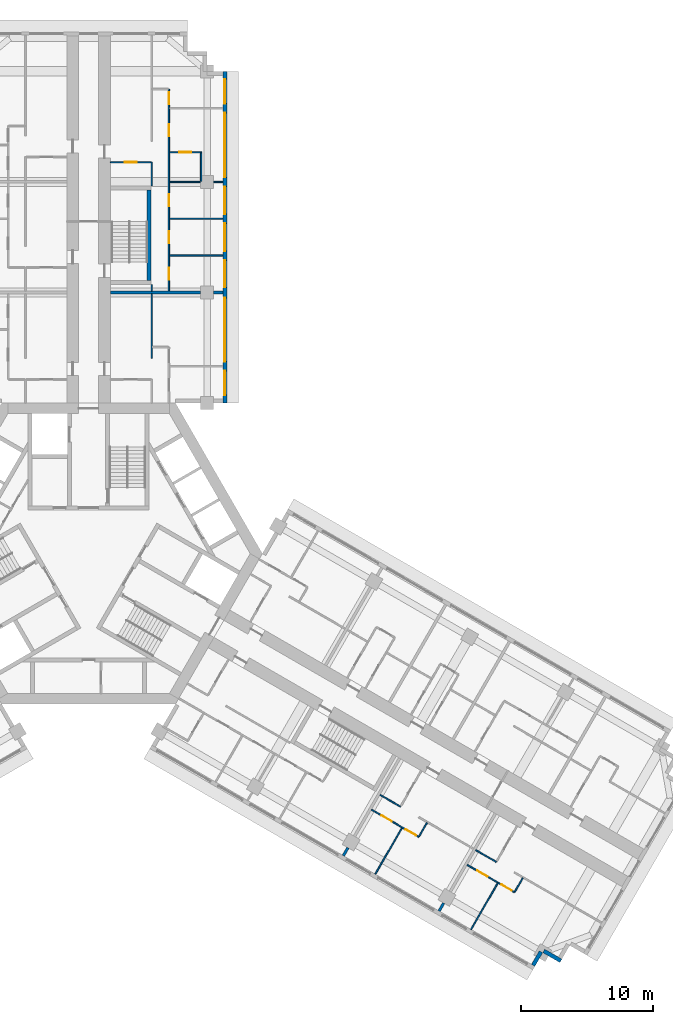
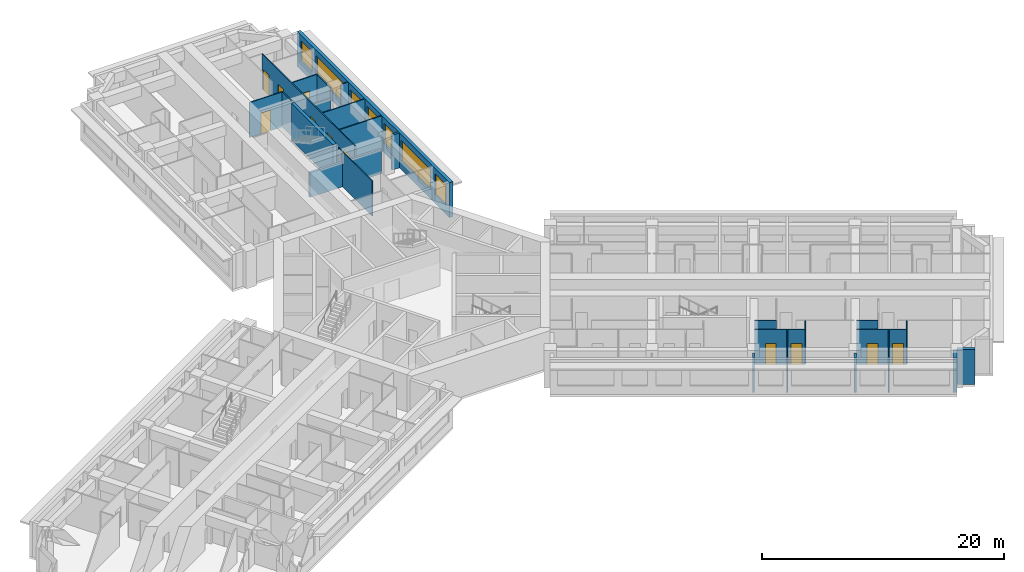
# One storey, part 10 of 14: 27 walls, 11 doors, 7 windows, 18 openings.
"""IFC4 building model written with IfcOpenShell, lengths in metres."""

from ifc_helpers import new_model, si_unit, direction, frame, frame_2d, origin, place, context, subcontext, project, spatial, rectangle, extrude, material, layer, layer_set, type_object, element, fill, save


model = new_model("IFC4")

# Units and contexts
model_context = context("Model", 3, precision=1e-05, world=origin(), true_north=direction((0.0, 1.0)))
body_context = subcontext(model_context, "Body", "Model", "MODEL_VIEW")
ifc_project = project(units=[si_unit("LENGTHUNIT", "METRE"), si_unit("AREAUNIT", "SQUARE_METRE"), si_unit("VOLUMEUNIT", "CUBIC_METRE"), si_unit("PLANEANGLEUNIT", "RADIAN"), si_unit("MASSUNIT", "GRAM", prefix="KILO")], contexts=[model_context])

# Site, building, storey
site_placement = place(None, origin())
site = spatial("IfcSite", under=ifc_project, at=site_placement, CompositionType="ELEMENT")
building_placement = place(site_placement, origin())
building = spatial("IfcBuilding", under=site, at=building_placement, Name="Impinga Residences", CompositionType="ELEMENT")
storey_placement = place(building_placement, frame((0.0, 0.0, 121.0)))
storey = spatial("IfcBuildingStorey", under=building, at=storey_placement, Name="L29", CompositionType="ELEMENT", Elevation=121.0)

# Wall, openings, windows
ifc_material_1 = material(Name="Terracotta rainscreen on blockwork", Category="masonry")
ifc_layer_1 = layer(ifc_material_1, 0.300048828125)
ifc_layer_set_1 = layer_set([ifc_layer_1], Name="EW1 external wall, terracotta rainscreen on blockwork 300")
wall_type_1 = type_object("IfcWallType", Name="EW1 external wall, terracotta rainscreen on blockwork 300", PredefinedType="SOLIDWALL", material=ifc_layer_set_1)
wall_1_placement = place(storey_placement, frame((10.35009765625, 36.631591796875, 0.0), z_axis=(0.0, 0.0, 1.0), x_axis=(0.0, -1.0, 0.0)))
wall_1 = element("IfcWall", 1, at=wall_1_placement, inside=storey, type_object=wall_type_1, Name="External wall EW1 L29", PredefinedType="SOLIDWALL", context=body_context, shape_type="SweptSolid", body=[
    extrude(rectangle(XDim=25.199951171875, YDim=0.300048828125, at=frame_2d((12.60009765625, 0.0))), origin(), (0.0, 0.0, 1.0), 3.530029296875),
])
opening_1_placement = place(wall_1_placement, frame((0.60009765625, 0.0, 0.89990234375)))
opening_1 = element("IfcOpeningElement", 2, at=opening_1_placement, cuts=wall_1, Name="Opening W15", PredefinedType="OPENING", context=body_context, shape_type="SweptSolid", body=[
    extrude(rectangle(XDim=1.85009765625, YDim=2.050048828125, at=frame_2d((0.925048828125, 1.02490234375))), frame((0.0, 0.159912109375, 0.0), z_axis=(0.0, -1.0, 0.0), x_axis=(1.0, 0.0, 0.0)), (0.0, 0.0, 1.0), 0.320068359375),
])
opening_2_placement = place(wall_1_placement, frame((3.14990234375, 0.0, 0.89990234375)))
opening_2 = element("IfcOpeningElement", 3, at=opening_2_placement, cuts=wall_1, Name="Opening W16", PredefinedType="OPENING", context=body_context, shape_type="SweptSolid", body=[
    extrude(rectangle(XDim=4.89990234375, YDim=2.050048828125, at=frame_2d((2.449951171875, 1.02490234375))), frame((0.0, 0.159912109375, 0.0), z_axis=(0.0, -1.0, 0.0), x_axis=(1.0, 0.0, 0.0)), (0.0, 0.0, 1.0), 0.320068359375),
])
opening_3_placement = place(wall_1_placement, frame((8.75, 0.0, 0.89990234375)))
opening_3 = element("IfcOpeningElement", 4, at=opening_3_placement, cuts=wall_1, Name="Opening W9", PredefinedType="OPENING", context=body_context, shape_type="SweptSolid", body=[
    extrude(rectangle(XDim=2.10009765625, YDim=2.050048828125, at=frame_2d((1.050048828125, 1.02490234375))), frame((0.0, 0.159912109375, 0.0), z_axis=(0.0, -1.0, 0.0), x_axis=(1.0, 0.0, 0.0)), (0.0, 0.0, 1.0), 0.320068359375),
])
opening_4_placement = place(wall_1_placement, frame((11.550048828125, 0.0, 0.89990234375)))
opening_4 = element("IfcOpeningElement", 5, at=opening_4_placement, cuts=wall_1, Name="Opening W9", PredefinedType="OPENING", context=body_context, shape_type="SweptSolid", body=[
    extrude(rectangle(XDim=2.10009765625, YDim=2.050048828125, at=frame_2d((1.050048828125, 1.02490234375))), frame((0.0, 0.159912109375, 0.0), z_axis=(0.0, -1.0, 0.0), x_axis=(1.0, 0.0, 0.0)), (0.0, 0.0, 1.0), 0.320068359375),
])
opening_5_placement = place(wall_1_placement, frame((14.35009765625, 0.0, 0.89990234375)))
opening_5 = element("IfcOpeningElement", 6, at=opening_5_placement, cuts=wall_1, Name="Opening W14", PredefinedType="OPENING", context=body_context, shape_type="SweptSolid", body=[
    extrude(rectangle(XDim=2.050048828125, YDim=2.050048828125, at=frame_2d((1.02490234375, 1.02490234375))), frame((0.0, 0.159912109375, 0.0), z_axis=(0.0, -1.0, 0.0), x_axis=(1.0, 0.0, 0.0)), (0.0, 0.0, 1.0), 0.320068359375),
])
opening_6_placement = place(wall_1_placement, frame((17.199951171875, 0.0, 0.89990234375)))
opening_6 = element("IfcOpeningElement", 7, at=opening_6_placement, cuts=wall_1, Name="Opening W6", PredefinedType="OPENING", context=body_context, shape_type="SweptSolid", body=[
    extrude(rectangle(XDim=4.85009765625, YDim=2.050048828125, at=frame_2d((2.425048828125, 1.02490234375))), frame((0.0, 0.159912109375, 0.0), z_axis=(0.0, -1.0, 0.0), x_axis=(1.0, 0.0, 0.0)), (0.0, 0.0, 1.0), 0.320068359375),
])
opening_7_placement = place(wall_1_placement, frame((22.75, 0.0, 0.89990234375)))
opening_7 = element("IfcOpeningElement", 8, at=opening_7_placement, cuts=wall_1, Name="Opening W15", PredefinedType="OPENING", context=body_context, shape_type="SweptSolid", body=[
    extrude(rectangle(XDim=1.85009765625, YDim=2.050048828125, at=frame_2d((0.925048828125, 1.02490234375))), frame((0.0, 0.159912109375, 0.0), z_axis=(0.0, -1.0, 0.0), x_axis=(1.0, 0.0, 0.0)), (0.0, 0.0, 1.0), 0.320068359375),
])
ifc_material_2 = material(Name="Aluminium window, clear double glazing", Category="aluminium")
window_type_1 = type_object("IfcWindowType", Name="W14 ribbon window 2050x2050", PartitioningType="SINGLE_PANEL", PredefinedType="WINDOW", material=ifc_material_2)
window_1_placement = place(opening_5_placement, origin())
window_1 = element("IfcWindow", 9, at=window_1_placement, inside=storey, type_object=window_type_1, Name="Window L29", OverallHeight=2.050048828125, OverallWidth=2.050048828125, PartitioningType="SINGLE_PANEL", PredefinedType="WINDOW", context=body_context, shape_type="SweptSolid", body=[
    extrude(rectangle(XDim=2.050048828125, YDim=2.050048828125, at=frame_2d((1.02490234375, 1.02490234375))), frame((0.0, 0.030029296875, 0.0), z_axis=(0.0, -1.0, 0.0), x_axis=(1.0, 0.0, 0.0)), (0.0, 0.0, 1.0), 0.06005859375),
])
fill(opening_5, window_1)
window_type_2 = type_object("IfcWindowType", Name="W15 ribbon window 1850x2050", PartitioningType="SINGLE_PANEL", PredefinedType="WINDOW", material=ifc_material_2)
window_2_placement = place(opening_1_placement, origin())
window_2 = element("IfcWindow", 10, at=window_2_placement, inside=storey, type_object=window_type_2, Name="Window L29", OverallHeight=2.050048828125, OverallWidth=1.85009765625, PartitioningType="SINGLE_PANEL", PredefinedType="WINDOW", context=body_context, shape_type="SweptSolid", body=[
    extrude(rectangle(XDim=1.85009765625, YDim=2.050048828125, at=frame_2d((0.925048828125, 1.02490234375))), frame((0.0, 0.030029296875, 0.0), z_axis=(0.0, -1.0, 0.0), x_axis=(1.0, 0.0, 0.0)), (0.0, 0.0, 1.0), 0.06005859375),
])
fill(opening_1, window_2)
window_3_placement = place(opening_7_placement, origin())
window_3 = element("IfcWindow", 11, at=window_3_placement, inside=storey, type_object=window_type_2, Name="Window L29", OverallHeight=2.050048828125, OverallWidth=1.85009765625, PartitioningType="SINGLE_PANEL", PredefinedType="WINDOW", context=body_context, shape_type="SweptSolid", body=[
    extrude(rectangle(XDim=1.85009765625, YDim=2.050048828125, at=frame_2d((0.925048828125, 1.02490234375))), frame((0.0, 0.030029296875, 0.0), z_axis=(0.0, -1.0, 0.0), x_axis=(1.0, 0.0, 0.0)), (0.0, 0.0, 1.0), 0.06005859375),
])
fill(opening_7, window_3)
window_type_3 = type_object("IfcWindowType", Name="W16 ribbon window 4900x2050", PartitioningType="SINGLE_PANEL", PredefinedType="WINDOW", material=ifc_material_2)
window_4_placement = place(opening_2_placement, origin())
window_4 = element("IfcWindow", 12, at=window_4_placement, inside=storey, type_object=window_type_3, Name="Window L29", OverallHeight=2.050048828125, OverallWidth=4.89990234375, PartitioningType="SINGLE_PANEL", PredefinedType="WINDOW", context=body_context, shape_type="SweptSolid", body=[
    extrude(rectangle(XDim=4.89990234375, YDim=2.050048828125, at=frame_2d((2.449951171875, 1.02490234375))), frame((0.0, 0.030029296875, 0.0), z_axis=(0.0, -1.0, 0.0), x_axis=(1.0, 0.0, 0.0)), (0.0, 0.0, 1.0), 0.06005859375),
])
fill(opening_2, window_4)
window_type_4 = type_object("IfcWindowType", Name="W6 ribbon window 4850x2050", PartitioningType="SINGLE_PANEL", PredefinedType="WINDOW", material=ifc_material_2)
window_5_placement = place(opening_6_placement, origin())
window_5 = element("IfcWindow", 13, at=window_5_placement, inside=storey, type_object=window_type_4, Name="Window L29", OverallHeight=2.050048828125, OverallWidth=4.85009765625, PartitioningType="SINGLE_PANEL", PredefinedType="WINDOW", context=body_context, shape_type="SweptSolid", body=[
    extrude(rectangle(XDim=4.85009765625, YDim=2.050048828125, at=frame_2d((2.425048828125, 1.02490234375))), frame((0.0, 0.030029296875, 0.0), z_axis=(0.0, -1.0, 0.0), x_axis=(1.0, 0.0, 0.0)), (0.0, 0.0, 1.0), 0.06005859375),
])
fill(opening_6, window_5)
window_type_5 = type_object("IfcWindowType", Name="W9 ribbon window 2100x2050", PartitioningType="SINGLE_PANEL", PredefinedType="WINDOW", material=ifc_material_2)
window_6_placement = place(opening_3_placement, origin())
window_6 = element("IfcWindow", 14, at=window_6_placement, inside=storey, type_object=window_type_5, Name="Window L29", OverallHeight=2.050048828125, OverallWidth=2.10009765625, PartitioningType="SINGLE_PANEL", PredefinedType="WINDOW", context=body_context, shape_type="SweptSolid", body=[
    extrude(rectangle(XDim=2.10009765625, YDim=2.050048828125, at=frame_2d((1.050048828125, 1.02490234375))), frame((0.0, 0.030029296875, 0.0), z_axis=(0.0, -1.0, 0.0), x_axis=(1.0, 0.0, 0.0)), (0.0, 0.0, 1.0), 0.06005859375),
])
fill(opening_3, window_6)
window_7_placement = place(opening_4_placement, origin())
window_7 = element("IfcWindow", 15, at=window_7_placement, inside=storey, type_object=window_type_5, Name="Window L29", OverallHeight=2.050048828125, OverallWidth=2.10009765625, PartitioningType="SINGLE_PANEL", PredefinedType="WINDOW", context=body_context, shape_type="SweptSolid", body=[
    extrude(rectangle(XDim=2.10009765625, YDim=2.050048828125, at=frame_2d((1.050048828125, 1.02490234375))), frame((0.0, 0.030029296875, 0.0), z_axis=(0.0, -1.0, 0.0), x_axis=(1.0, 0.0, 0.0)), (0.0, 0.0, 1.0), 0.06005859375),
])
fill(opening_4, window_7)

# Walls
wall_2_placement = place(storey_placement, frame((35.87255859375, -30.93017578125, 0.0), z_axis=(0.0, 0.0, 1.0), x_axis=(-0.866031096941, 0.499990139034, 0.0)))
element("IfcWall", 16, at=wall_2_placement, inside=storey, type_object=wall_type_1, Name="External wall EW1 L29", PredefinedType="SOLIDWALL", context=body_context, shape_type="SweptSolid", body=[
    extrude(rectangle(XDim=1.5, YDim=0.300048828125, at=frame_2d((0.75, 0.0))), origin(), (0.0, 0.0, 1.0), 3.530029296875),
])
wall_3_placement = place(storey_placement, frame((34.365966796875, -30.2392578125, 0.0), z_axis=(0.0, 0.0, 1.0), x_axis=(-0.499940577336, -0.866059708757, 0.0)))
element("IfcWall", 17, at=wall_3_placement, inside=storey, type_object=wall_type_1, Name="External wall EW1 L29", PredefinedType="SOLIDWALL", context=body_context, shape_type="SweptSolid", body=[
    extrude(rectangle(XDim=1.195068359375, YDim=0.300048828125, at=frame_2d((0.59765625, 0.0))), origin(), (0.0, 0.0, 1.0), 3.530029296875),
])
ifc_material_3 = material(Name="Gypsum board on steel studs", Category="steel")
ifc_layer_2 = layer(ifc_material_3, 0.10009765625)
ifc_layer_set_2 = layer_set([ifc_layer_2], Name="Gypsum board on steel studs")
wall_type_2 = type_object("IfcWallType", Name="IP1 partition 100", PredefinedType="PARTITIONING", material=ifc_layer_set_2)
wall_4_placement = place(storey_placement, frame((4.800048828125, 14.83154296875, 0.0), z_axis=(0.0, 0.0, 1.0), x_axis=(0.0, 1.0, 0.0)))
element("IfcWall", 18, at=wall_4_placement, inside=storey, type_object=wall_type_2, Name="Partition L29-NF1:DIV1", PredefinedType="PARTITIONING", context=body_context, shape_type="SweptSolid", body=[
    extrude(rectangle(XDim=4.89990234375, YDim=0.10009765625, at=frame_2d((2.449951171875, 0.0))), origin(), (0.0, 0.0, 1.0), 3.530029296875),
])
wall_5_placement = place(storey_placement, frame((4.800048828125, 19.931640625, 0.0), z_axis=(0.0, 0.0, 1.0), x_axis=(0.0, 1.0, 0.0)))
element("IfcWall", 19, at=wall_5_placement, inside=storey, type_object=wall_type_2, Name="Partition L29-NF2:DIV0", PredefinedType="PARTITIONING", context=body_context, shape_type="SweptSolid", body=[
    extrude(rectangle(XDim=0.5, YDim=0.10009765625, at=frame_2d((0.25, 0.0))), origin(), (0.0, 0.0, 1.0), 3.530029296875),
])
wall_6_placement = place(storey_placement, frame((4.800048828125, 27.931640625, 0.0), z_axis=(0.0, 0.0, 1.0), x_axis=(0.0, 1.0, 0.0)))
element("IfcWall", 20, at=wall_6_placement, inside=storey, type_object=wall_type_2, Name="Partition L29-NF2:DIV1", PredefinedType="PARTITIONING", context=body_context, shape_type="SweptSolid", body=[
    extrude(rectangle(XDim=1.7998046875, YDim=0.10009765625, at=frame_2d((0.89990234375, 0.0))), origin(), (0.0, 0.0, 1.0), 3.530029296875),
])

# Wall, openings, doors
wall_7_placement = place(storey_placement, frame((6.10009765625, 19.931640625, 0.0), z_axis=(0.0, 0.0, 1.0), x_axis=(0.0, 1.0, 0.0)))
wall_7 = element("IfcWall", 21, at=wall_7_placement, inside=storey, type_object=wall_type_2, Name="Partition L29-NF2:STRIP", PredefinedType="PARTITIONING", context=body_context, shape_type="SweptSolid", body=[
    extrude(rectangle(XDim=15.349853515625, YDim=0.10009765625, at=frame_2d((7.6748046875, 0.0))), origin(), (0.0, 0.0, 1.0), 3.530029296875),
])
opening_8_placement = place(wall_7_placement, frame((0.875, 0.0, 0.0)))
opening_8 = element("IfcOpeningElement", 22, at=opening_8_placement, cuts=wall_7, Name="Opening D2", PredefinedType="OPENING", context=body_context, shape_type="SweptSolid", body=[
    extrude(rectangle(XDim=0.89990234375, YDim=2.10009765625, at=frame_2d((0.449951171875, 1.050048828125))), frame((0.0, 0.06005859375, 0.0), z_axis=(0.0, -1.0, 0.0), x_axis=(1.0, 0.0, 0.0)), (0.0, 0.0, 1.0), 0.1201171875),
])
opening_9_placement = place(wall_7_placement, frame((3.64990234375, 0.0, 0.0)))
opening_9 = element("IfcOpeningElement", 23, at=opening_9_placement, cuts=wall_7, Name="Opening D2", PredefinedType="OPENING", context=body_context, shape_type="SweptSolid", body=[
    extrude(rectangle(XDim=0.89990234375, YDim=2.10009765625, at=frame_2d((0.449951171875, 1.050048828125))), frame((0.0, 0.06005859375, 0.0), z_axis=(0.0, -1.0, 0.0), x_axis=(1.0, 0.0, 0.0)), (0.0, 0.0, 1.0), 0.1201171875),
])
opening_10_placement = place(wall_7_placement, frame((6.449951171875, 0.0, 0.0)))
opening_10 = element("IfcOpeningElement", 24, at=opening_10_placement, cuts=wall_7, Name="Opening D2", PredefinedType="OPENING", context=body_context, shape_type="SweptSolid", body=[
    extrude(rectangle(XDim=0.89990234375, YDim=2.10009765625, at=frame_2d((0.449951171875, 1.050048828125))), frame((0.0, 0.06005859375, 0.0), z_axis=(0.0, -1.0, 0.0), x_axis=(1.0, 0.0, 0.0)), (0.0, 0.0, 1.0), 0.1201171875),
])
opening_11_placement = place(wall_7_placement, frame((11.77490234375, 0.0, 0.0)))
opening_11 = element("IfcOpeningElement", 25, at=opening_11_placement, cuts=wall_7, Name="Opening D2", PredefinedType="OPENING", context=body_context, shape_type="SweptSolid", body=[
    extrude(rectangle(XDim=0.89990234375, YDim=2.10009765625, at=frame_2d((0.449951171875, 1.050048828125))), frame((0.0, 0.06005859375, 0.0), z_axis=(0.0, -1.0, 0.0), x_axis=(1.0, 0.0, 0.0)), (0.0, 0.0, 1.0), 0.1201171875),
])
opening_12_placement = place(wall_7_placement, frame((14.199951171875, 0.0, 0.0)))
opening_12 = element("IfcOpeningElement", 26, at=opening_12_placement, cuts=wall_7, Name="Opening D2", PredefinedType="OPENING", context=body_context, shape_type="SweptSolid", body=[
    extrude(rectangle(XDim=0.89990234375, YDim=2.10009765625, at=frame_2d((0.449951171875, 1.050048828125))), frame((0.0, 0.06005859375, 0.0), z_axis=(0.0, -1.0, 0.0), x_axis=(1.0, 0.0, 0.0)), (0.0, 0.0, 1.0), 0.1201171875),
])
ifc_material_4 = material(Name="Timber door set", Category="wood")
door_type = type_object("IfcDoorType", Name="D2 internal door 900x2100", OperationType="SINGLE_SWING_LEFT", PredefinedType="DOOR", material=ifc_material_4)
door_1_placement = place(opening_8_placement, origin())
door_1 = element("IfcDoor", 27, at=door_1_placement, inside=storey, type_object=door_type, Name="Apartment L29-NF2 room door", OperationType="SINGLE_SWING_LEFT", OverallHeight=2.10009765625, OverallWidth=0.89990234375, PredefinedType="DOOR", context=body_context, shape_type="SweptSolid", body=[
    extrude(rectangle(XDim=0.89990234375, YDim=2.10009765625, at=frame_2d((0.449951171875, 1.050048828125))), frame((0.0, 0.02490234375, 0.0), z_axis=(0.0, -1.0, 0.0), x_axis=(1.0, 0.0, 0.0)), (0.0, 0.0, 1.0), 0.050048828125),
])
fill(opening_8, door_1)
door_2_placement = place(opening_9_placement, origin())
door_2 = element("IfcDoor", 28, at=door_2_placement, inside=storey, type_object=door_type, Name="Apartment L29-NF2 room door", OperationType="SINGLE_SWING_LEFT", OverallHeight=2.10009765625, OverallWidth=0.89990234375, PredefinedType="DOOR", context=body_context, shape_type="SweptSolid", body=[
    extrude(rectangle(XDim=0.89990234375, YDim=2.10009765625, at=frame_2d((0.449951171875, 1.050048828125))), frame((0.0, 0.02490234375, 0.0), z_axis=(0.0, -1.0, 0.0), x_axis=(1.0, 0.0, 0.0)), (0.0, 0.0, 1.0), 0.050048828125),
])
fill(opening_9, door_2)
door_3_placement = place(opening_10_placement, origin())
door_3 = element("IfcDoor", 29, at=door_3_placement, inside=storey, type_object=door_type, Name="Apartment L29-NF2 room door", OperationType="SINGLE_SWING_LEFT", OverallHeight=2.10009765625, OverallWidth=0.89990234375, PredefinedType="DOOR", context=body_context, shape_type="SweptSolid", body=[
    extrude(rectangle(XDim=0.89990234375, YDim=2.10009765625, at=frame_2d((0.449951171875, 1.050048828125))), frame((0.0, 0.02490234375, 0.0), z_axis=(0.0, -1.0, 0.0), x_axis=(1.0, 0.0, 0.0)), (0.0, 0.0, 1.0), 0.050048828125),
])
fill(opening_10, door_3)
door_4_placement = place(opening_11_placement, origin())
door_4 = element("IfcDoor", 30, at=door_4_placement, inside=storey, type_object=door_type, Name="Apartment L29-NF2 room door", OperationType="SINGLE_SWING_RIGHT", OverallHeight=2.10009765625, OverallWidth=0.89990234375, PredefinedType="DOOR", context=body_context, shape_type="SweptSolid", body=[
    extrude(rectangle(XDim=0.89990234375, YDim=2.10009765625, at=frame_2d((0.449951171875, 1.050048828125))), frame((0.0, 0.02490234375, 0.0), z_axis=(0.0, -1.0, 0.0), x_axis=(1.0, 0.0, 0.0)), (0.0, 0.0, 1.0), 0.050048828125),
])
fill(opening_11, door_4)
door_5_placement = place(opening_12_placement, origin())
door_5 = element("IfcDoor", 31, at=door_5_placement, inside=storey, type_object=door_type, Name="Apartment L29-NF2 room door", OperationType="SINGLE_SWING_RIGHT", OverallHeight=2.10009765625, OverallWidth=0.89990234375, PredefinedType="DOOR", context=body_context, shape_type="SweptSolid", body=[
    extrude(rectangle(XDim=0.89990234375, YDim=2.10009765625, at=frame_2d((0.449951171875, 1.050048828125))), frame((0.0, 0.02490234375, 0.0), z_axis=(0.0, -1.0, 0.0), x_axis=(1.0, 0.0, 0.0)), (0.0, 0.0, 1.0), 0.050048828125),
])
fill(opening_12, door_5)

# Wall, opening, door
wall_8_placement = place(storey_placement, frame((1.64990234375, 29.7314453125, 0.0), z_axis=(0.0, 0.0, 1.0), x_axis=(1.0, 0.0, 0.0)))
wall_8 = element("IfcWall", 32, at=wall_8_placement, inside=storey, type_object=wall_type_2, Name="Partition L29-NF2:IB1", PredefinedType="PARTITIONING", context=body_context, shape_type="SweptSolid", body=[
    extrude(rectangle(XDim=3.10009765625, YDim=0.10009765625, at=frame_2d((1.550048828125, 0.0))), origin(), (0.0, 0.0, 1.0), 3.530029296875),
])
opening_13_placement = place(wall_8_placement, frame((1.10009765625, 0.0, 0.0)))
opening_13 = element("IfcOpeningElement", 33, at=opening_13_placement, cuts=wall_8, Name="Opening D2", PredefinedType="OPENING", context=body_context, shape_type="SweptSolid", body=[
    extrude(rectangle(XDim=0.89990234375, YDim=2.10009765625, at=frame_2d((0.449951171875, 1.050048828125))), frame((0.0, 0.06005859375, 0.0), z_axis=(0.0, -1.0, 0.0), x_axis=(1.0, 0.0, 0.0)), (0.0, 0.0, 1.0), 0.1201171875),
])
door_6_placement = place(opening_13_placement, origin())
door_6 = element("IfcDoor", 34, at=door_6_placement, inside=storey, type_object=door_type, Name="Apartment L29-NF2 bathroom door", OperationType="SINGLE_SWING_LEFT", OverallHeight=2.10009765625, OverallWidth=0.89990234375, PredefinedType="DOOR", context=body_context, shape_type="SweptSolid", body=[
    extrude(rectangle(XDim=0.89990234375, YDim=2.10009765625, at=frame_2d((0.449951171875, 1.050048828125))), frame((0.0, 0.02490234375, 0.0), z_axis=(0.0, -1.0, 0.0), x_axis=(1.0, 0.0, 0.0)), (0.0, 0.0, 1.0), 0.050048828125),
])
fill(opening_13, door_6)

# Walls
for number, where, z_axis, x_axis, name in (
    (35, (6.14990234375, 22.631591796875, 0.0), (0.0, 0.0, 1.0), (1.0, 0.0, 0.0), "Partition L29-NF2:OB1"),
    (36, (6.14990234375, 25.431640625, 0.0), (0.0, 0.0, 1.0), (1.0, 0.0, 0.0), "Partition L29-NF2:OB2"),
):
    element("IfcWall", number, at=place(storey_placement, frame(where, z_axis=z_axis, x_axis=x_axis)), inside=storey, type_object=wall_type_2, Name=name, PredefinedType="PARTITIONING", context=body_context, shape_type="SweptSolid", body=[
        extrude(rectangle(XDim=4.050048828125, YDim=0.10009765625, at=frame_2d((2.02490234375, 0.0))), origin(), (0.0, 0.0, 1.0), 3.530029296875),
    ])
wall_9_placement = place(storey_placement, frame((6.14990234375, 28.2314453125, 0.0), z_axis=(0.0, 0.0, 1.0), x_axis=(1.0, 0.0, 0.0)))
element("IfcWall", 37, at=wall_9_placement, inside=storey, type_object=wall_type_2, Name="Partition L29-NF2:OB3", PredefinedType="PARTITIONING", context=body_context, shape_type="SweptSolid", body=[
    extrude(rectangle(XDim=2.35009765625, YDim=0.10009765625, at=frame_2d((1.175048828125, 0.0))), origin(), (0.0, 0.0, 1.0), 2.47998046875),
])
wall_10_placement = place(storey_placement, frame((9.5, 28.2314453125, 0.0), z_axis=(0.0, 0.0, 1.0), x_axis=(1.0, 0.0, 0.0)))
element("IfcWall", 38, at=wall_10_placement, inside=storey, type_object=wall_type_2, Name="Partition L29-NF2:OB3b", PredefinedType="PARTITIONING", context=body_context, shape_type="SweptSolid", body=[
    extrude(rectangle(XDim=0.699951171875, YDim=0.10009765625, at=frame_2d((0.35009765625, 0.0))), origin(), (0.0, 0.0, 1.0), 3.530029296875),
])

# Wall, opening, door
wall_11_placement = place(storey_placement, frame((6.14990234375, 30.4814453125, 0.0), z_axis=(0.0, 0.0, 1.0), x_axis=(1.0, 0.0, 0.0)))
wall_11 = element("IfcWall", 39, at=wall_11_placement, inside=storey, type_object=wall_type_2, Name="Partition L29-NF2:EN1", PredefinedType="PARTITIONING", context=body_context, shape_type="SweptSolid", body=[
    extrude(rectangle(XDim=2.4501953125, YDim=0.10009765625, at=frame_2d((1.22509765625, 0.0))), origin(), (0.0, 0.0, 1.0), 3.530029296875),
])
opening_14_placement = place(wall_11_placement, frame((0.75, 0.0, 0.0)))
opening_14 = element("IfcOpeningElement", 40, at=opening_14_placement, cuts=wall_11, Name="Opening D2", PredefinedType="OPENING", context=body_context, shape_type="SweptSolid", body=[
    extrude(rectangle(XDim=0.89990234375, YDim=2.10009765625, at=frame_2d((0.449951171875, 1.050048828125))), frame((0.0, 0.06005859375, 0.0), z_axis=(0.0, -1.0, 0.0), x_axis=(1.0, 0.0, 0.0)), (0.0, 0.0, 1.0), 0.1201171875),
])
door_7_placement = place(opening_14_placement, origin())
door_7 = element("IfcDoor", 41, at=door_7_placement, inside=storey, type_object=door_type, Name="Apartment L29-NF2 en-suite door", OperationType="SINGLE_SWING_LEFT", OverallHeight=2.10009765625, OverallWidth=0.89990234375, PredefinedType="DOOR", context=body_context, shape_type="SweptSolid", body=[
    extrude(rectangle(XDim=0.89990234375, YDim=2.10009765625, at=frame_2d((0.449951171875, 1.050048828125))), frame((0.0, 0.02490234375, 0.0), z_axis=(0.0, -1.0, 0.0), x_axis=(1.0, 0.0, 0.0)), (0.0, 0.0, 1.0), 0.050048828125),
])
fill(opening_14, door_7)

# Walls
wall_12_placement = place(storey_placement, frame((8.550048828125, 28.281494140625, 0.0), z_axis=(0.0, 0.0, 1.0), x_axis=(0.0, 1.0, 0.0)))
element("IfcWall", 42, at=wall_12_placement, inside=storey, type_object=wall_type_2, Name="Partition L29-NF2:EN2", PredefinedType="PARTITIONING", context=body_context, shape_type="SweptSolid", body=[
    extrude(rectangle(XDim=2.150146484375, YDim=0.10009765625, at=frame_2d((1.0751953125, 0.0))), origin(), (0.0, 0.0, 1.0), 3.530029296875),
])
wall_13_placement = place(storey_placement, frame((22.1357421875, -18.32275390625, 0.0), z_axis=(0.0, 0.0, 1.0), x_axis=(0.866047807691, -0.499961193289, 0.0)))
element("IfcWall", 43, at=wall_13_placement, inside=storey, type_object=wall_type_2, Name="Partition L29-EF2:DIV0", PredefinedType="PARTITIONING", context=body_context, shape_type="SweptSolid", body=[
    extrude(rectangle(XDim=1.800048828125, YDim=0.10009765625, at=frame_2d((0.89990234375, 0.0))), origin(), (0.0, 0.0, 1.0), 3.530029296875),
])

# Wall, openings, doors
wall_14_placement = place(storey_placement, frame((21.48583984375, -19.448486328125, 0.0), z_axis=(0.0, 0.0, 1.0), x_axis=(0.86602981871, -0.499992353047, 0.0)))
wall_14 = element("IfcWall", 44, at=wall_14_placement, inside=storey, type_object=wall_type_2, Name="Partition L29-EF2:STRIP", PredefinedType="PARTITIONING", context=body_context, shape_type="SweptSolid", body=[
    extrude(rectangle(XDim=4.14990234375, YDim=0.10009765625, at=frame_2d((2.074951171875, 0.0))), origin(), (0.0, 0.0, 1.0), 3.530029296875),
])
opening_15_placement = place(wall_14_placement, frame((0.875, 0.0, 0.0)))
opening_15 = element("IfcOpeningElement", 45, at=opening_15_placement, cuts=wall_14, Name="Opening D2", PredefinedType="OPENING", context=body_context, shape_type="SweptSolid", body=[
    extrude(rectangle(XDim=0.89990234375, YDim=2.10009765625, at=frame_2d((0.449951171875, 1.050048828125))), frame((0.0, 0.06005859375, 0.0), z_axis=(0.0, -1.0, 0.0), x_axis=(1.0, 0.0, 0.0)), (0.0, 0.0, 1.0), 0.1201171875),
])
opening_16_placement = place(wall_14_placement, frame((3.0, 0.0, 0.0)))
opening_16 = element("IfcOpeningElement", 46, at=opening_16_placement, cuts=wall_14, Name="Opening D2", PredefinedType="OPENING", context=body_context, shape_type="SweptSolid", body=[
    extrude(rectangle(XDim=0.89990234375, YDim=2.10009765625, at=frame_2d((0.449951171875, 1.050048828125))), frame((0.0, 0.06005859375, 0.0), z_axis=(0.0, -1.0, 0.0), x_axis=(1.0, 0.0, 0.0)), (0.0, 0.0, 1.0), 0.1201171875),
])
door_8_placement = place(opening_15_placement, origin())
door_8 = element("IfcDoor", 47, at=door_8_placement, inside=storey, type_object=door_type, Name="Apartment L29-EF2 room door", OperationType="SINGLE_SWING_LEFT", OverallHeight=2.10009765625, OverallWidth=0.89990234375, PredefinedType="DOOR", context=body_context, shape_type="SweptSolid", body=[
    extrude(rectangle(XDim=0.89990234375, YDim=2.10009765625, at=frame_2d((0.449951171875, 1.050048828125))), frame((0.0, 0.02490234375, 0.0), z_axis=(0.0, -1.0, 0.0), x_axis=(1.0, 0.0, 0.0)), (0.0, 0.0, 1.0), 0.050048828125),
])
fill(opening_15, door_8)
door_9_placement = place(opening_16_placement, origin())
door_9 = element("IfcDoor", 48, at=door_9_placement, inside=storey, type_object=door_type, Name="Apartment L29-EF2 room door", OperationType="SINGLE_SWING_RIGHT", OverallHeight=2.10009765625, OverallWidth=0.89990234375, PredefinedType="DOOR", context=body_context, shape_type="SweptSolid", body=[
    extrude(rectangle(XDim=0.89990234375, YDim=2.10009765625, at=frame_2d((0.449951171875, 1.050048828125))), frame((0.0, 0.02490234375, 0.0), z_axis=(0.0, -1.0, 0.0), x_axis=(1.0, 0.0, 0.0)), (0.0, 0.0, 1.0), 0.050048828125),
])
fill(opening_16, door_9)

# Walls
wall_15_placement = place(storey_placement, frame((25.704833984375, -20.44091796875, 0.0), z_axis=(0.0, 0.0, 1.0), x_axis=(-0.500033551112, -0.866006032174, 0.0)))
element("IfcWall", 49, at=wall_15_placement, inside=storey, type_object=wall_type_2, Name="Partition L29-EF2:SE1", PredefinedType="PARTITIONING", context=body_context, shape_type="SweptSolid", body=[
    extrude(rectangle(XDim=1.2001953125, YDim=0.10009765625, at=frame_2d((0.60009765625, 0.0))), origin(), (0.0, 0.0, 1.0), 3.530029296875),
])
wall_16_placement = place(storey_placement, frame((23.799072265625, -20.841796875, 0.0), z_axis=(0.0, 0.0, 1.0), x_axis=(-0.499990325971, -0.866030989016, 0.0)))
element("IfcWall", 50, at=wall_16_placement, inside=storey, type_object=wall_type_2, Name="Partition L29-EF2:OB1", PredefinedType="PARTITIONING", context=body_context, shape_type="SweptSolid", body=[
    extrude(rectangle(XDim=4.0498046875, YDim=0.10009765625, at=frame_2d((2.02490234375, 0.0))), origin(), (0.0, 0.0, 1.0), 3.530029296875),
])
wall_17_placement = place(storey_placement, frame((29.410400390625, -22.522705078125, 0.0), z_axis=(0.0, 0.0, 1.0), x_axis=(0.866047807691, -0.499961193289, 0.0)))
element("IfcWall", 51, at=wall_17_placement, inside=storey, type_object=wall_type_2, Name="Partition L29-EF3:DIV0", PredefinedType="PARTITIONING", context=body_context, shape_type="SweptSolid", body=[
    extrude(rectangle(XDim=1.800048828125, YDim=0.10009765625, at=frame_2d((0.89990234375, 0.0))), origin(), (0.0, 0.0, 1.0), 3.530029296875),
])

# Wall, openings, doors
wall_18_placement = place(storey_placement, frame((28.760498046875, -23.6484375, 0.0), z_axis=(0.0, 0.0, 1.0), x_axis=(0.866004344652, -0.500036473714, 0.0)))
wall_18 = element("IfcWall", 52, at=wall_18_placement, inside=storey, type_object=wall_type_2, Name="Partition L29-EF3:STRIP", PredefinedType="PARTITIONING", context=body_context, shape_type="SweptSolid", body=[
    extrude(rectangle(XDim=4.150146484375, YDim=0.10009765625, at=frame_2d((2.0751953125, 0.0))), origin(), (0.0, 0.0, 1.0), 3.530029296875),
])
opening_17_placement = place(wall_18_placement, frame((0.875, 0.0, 0.0)))
opening_17 = element("IfcOpeningElement", 53, at=opening_17_placement, cuts=wall_18, Name="Opening D2", PredefinedType="OPENING", context=body_context, shape_type="SweptSolid", body=[
    extrude(rectangle(XDim=0.89990234375, YDim=2.10009765625, at=frame_2d((0.449951171875, 1.050048828125))), frame((0.0, 0.06005859375, 0.0), z_axis=(0.0, -1.0, 0.0), x_axis=(1.0, 0.0, 0.0)), (0.0, 0.0, 1.0), 0.1201171875),
])
opening_18_placement = place(wall_18_placement, frame((3.0, 0.0, 0.0)))
opening_18 = element("IfcOpeningElement", 54, at=opening_18_placement, cuts=wall_18, Name="Opening D2", PredefinedType="OPENING", context=body_context, shape_type="SweptSolid", body=[
    extrude(rectangle(XDim=0.89990234375, YDim=2.10009765625, at=frame_2d((0.449951171875, 1.050048828125))), frame((0.0, 0.06005859375, 0.0), z_axis=(0.0, -1.0, 0.0), x_axis=(1.0, 0.0, 0.0)), (0.0, 0.0, 1.0), 0.1201171875),
])
door_10_placement = place(opening_17_placement, origin())
door_10 = element("IfcDoor", 55, at=door_10_placement, inside=storey, type_object=door_type, Name="Apartment L29-EF3 room door", OperationType="SINGLE_SWING_LEFT", OverallHeight=2.10009765625, OverallWidth=0.89990234375, PredefinedType="DOOR", context=body_context, shape_type="SweptSolid", body=[
    extrude(rectangle(XDim=0.89990234375, YDim=2.10009765625, at=frame_2d((0.449951171875, 1.050048828125))), frame((0.0, 0.02490234375, 0.0), z_axis=(0.0, -1.0, 0.0), x_axis=(1.0, 0.0, 0.0)), (0.0, 0.0, 1.0), 0.050048828125),
])
fill(opening_17, door_10)
door_11_placement = place(opening_18_placement, origin())
door_11 = element("IfcDoor", 56, at=door_11_placement, inside=storey, type_object=door_type, Name="Apartment L29-EF3 room door", OperationType="SINGLE_SWING_RIGHT", OverallHeight=2.10009765625, OverallWidth=0.89990234375, PredefinedType="DOOR", context=body_context, shape_type="SweptSolid", body=[
    extrude(rectangle(XDim=0.89990234375, YDim=2.10009765625, at=frame_2d((0.449951171875, 1.050048828125))), frame((0.0, 0.02490234375, 0.0), z_axis=(0.0, -1.0, 0.0), x_axis=(1.0, 0.0, 0.0)), (0.0, 0.0, 1.0), 0.050048828125),
])
fill(opening_18, door_11)

# Walls
wall_19_placement = place(storey_placement, frame((32.9794921875, -24.640869140625, 0.0), z_axis=(0.0, 0.0, 1.0), x_axis=(-0.500033551112, -0.866006032174, 0.0)))
element("IfcWall", 57, at=wall_19_placement, inside=storey, type_object=wall_type_2, Name="Partition L29-EF3:SE1", PredefinedType="PARTITIONING", context=body_context, shape_type="SweptSolid", body=[
    extrude(rectangle(XDim=1.2001953125, YDim=0.10009765625, at=frame_2d((0.60009765625, 0.0))), origin(), (0.0, 0.0, 1.0), 3.530029296875),
])
wall_20_placement = place(storey_placement, frame((31.07373046875, -25.041748046875, 0.0), z_axis=(0.0, 0.0, 1.0), x_axis=(-0.499964223975, -0.866046058097, 0.0)))
element("IfcWall", 58, at=wall_20_placement, inside=storey, type_object=wall_type_2, Name="Partition L29-EF3:OB1", PredefinedType="PARTITIONING", context=body_context, shape_type="SweptSolid", body=[
    extrude(rectangle(XDim=4.050048828125, YDim=0.10009765625, at=frame_2d((2.02490234375, 0.0))), origin(), (0.0, 0.0, 1.0), 3.530029296875),
])
ifc_material_5 = material(Name="Concrete blockwork", Category="masonry")
ifc_layer_3 = layer(ifc_material_5, 0.199951171875)
ifc_layer_set_3 = layer_set([ifc_layer_3], Name="PW1 party wall between apartments 200")
wall_type_3 = type_object("IfcWallType", Name="PW1 party wall between apartments 200", PredefinedType="SOLIDWALL", material=ifc_layer_set_3)
wall_21_placement = place(storey_placement, frame((1.64990234375, 19.83154296875, 0.0), z_axis=(0.0, 0.0, 1.0), x_axis=(1.0, 0.0, 0.0)))
element("IfcWall", 59, at=wall_21_placement, inside=storey, type_object=wall_type_3, Name="Party wall between apartments L29-NF1:PARTY", PredefinedType="SOLIDWALL", context=body_context, shape_type="SweptSolid", body=[
    extrude(rectangle(XDim=6.85009765625, YDim=0.199951171875, at=frame_2d((3.425048828125, 0.0))), origin(), (0.0, 0.0, 1.0), 2.47998046875),
])
for number, where, z_axis, x_axis, name in (
    (60, (9.5, 19.83154296875, 0.0), (0.0, 0.0, 1.0), (1.0, 0.0, 0.0), "Party wall between apartments L29-NF1:PARTYb"),
    (61, (19.69921875, -22.343017578125, 0.0), (0.0, 0.0, 1.0), (-0.500114896893, -0.865959057869, 0.0), "Party wall between apartments L29-EF1:PARTYb"),
    (62, (26.973876953125, -26.54296875, 0.0), (0.0, 0.0, 1.0), (-0.500114896893, -0.865959057869, 0.0), "Party wall between apartments L29-EF2:PARTYb"),
):
    element("IfcWall", number, at=place(storey_placement, frame(where, z_axis=z_axis, x_axis=x_axis)), inside=storey, type_object=wall_type_3, Name=name, PredefinedType="SOLIDWALL", context=body_context, shape_type="SweptSolid", body=[
        extrude(rectangle(XDim=0.699951171875, YDim=0.199951171875, at=frame_2d((0.35009765625, 0.0))), origin(), (0.0, 0.0, 1.0), 3.530029296875),
    ])
ifc_material_6 = material(Name="Concrete C60/75", Category="concrete")
ifc_layer_4 = layer(ifc_material_6, 0.300048828125)
ifc_layer_set_4 = layer_set([ifc_layer_4], Name="Concrete C60/75")
wall_type_4 = type_object("IfcWallType", Name="SE1 wing stair enclosure wall 300", PredefinedType="SOLIDWALL", material=ifc_layer_set_4)
wall_22_placement = place(storey_placement, frame((4.60009765625, 20.7314453125, 0.0), z_axis=(0.0, 0.0, 1.0), x_axis=(0.0, 1.0, 0.0)))
element("IfcWall", 63, at=wall_22_placement, inside=storey, type_object=wall_type_4, Name="Stair enclosure wall SE1 N OUT L29", PredefinedType="SOLIDWALL", context=body_context, shape_type="SweptSolid", body=[
    extrude(rectangle(XDim=6.900146484375, YDim=0.300048828125, at=frame_2d((3.4501953125, 0.0))), origin(), (0.0, 0.0, 1.0), 3.75),
])

save(model, "model.ifc")
